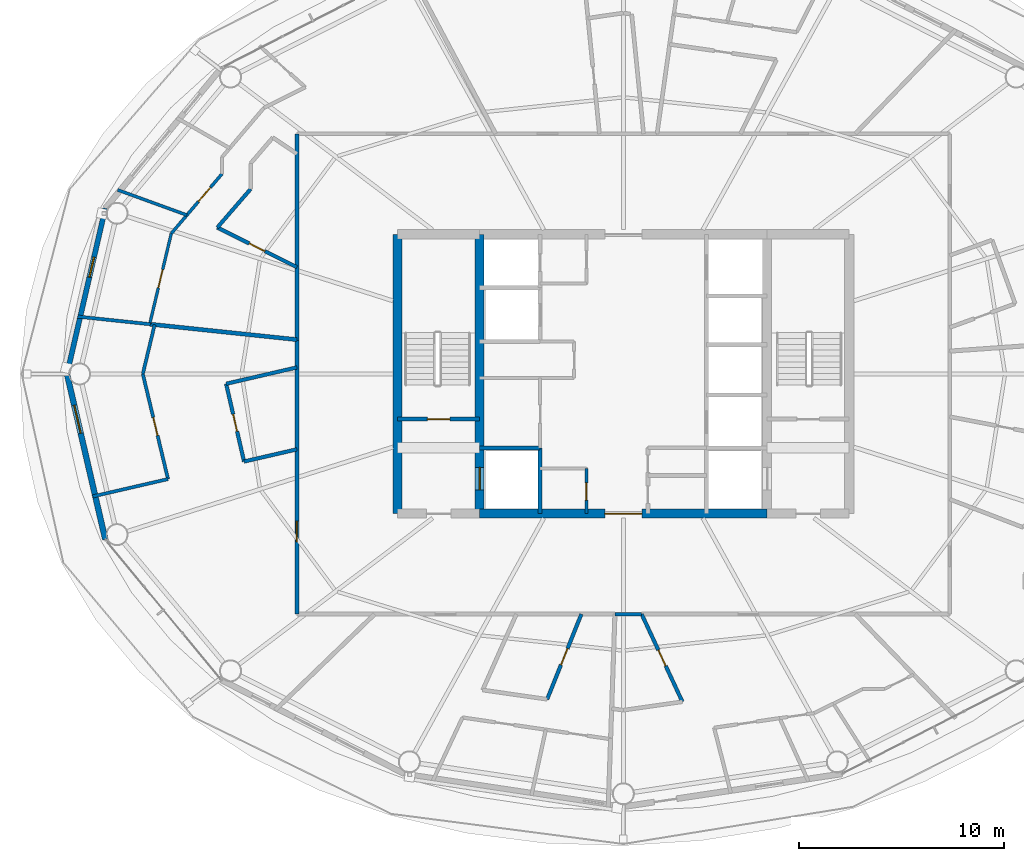
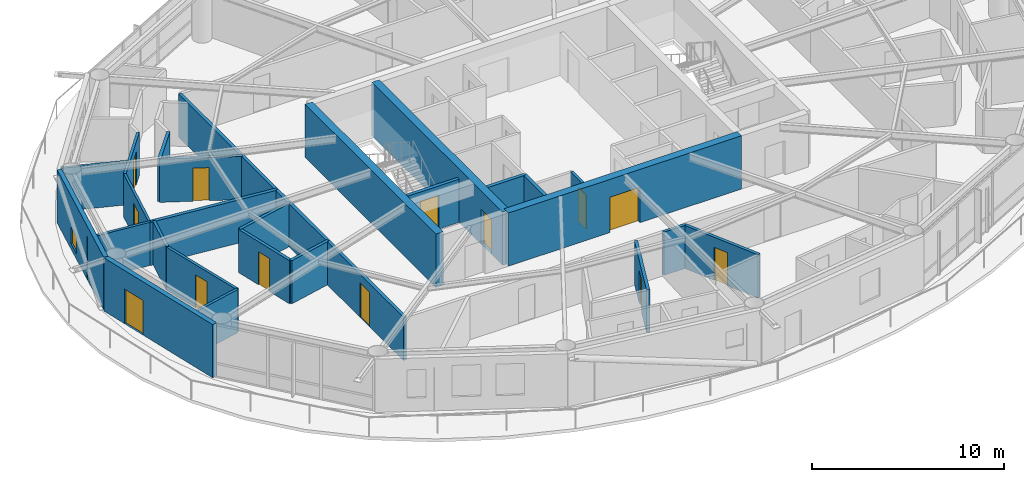
# One storey, part 20 of 27: 27 walls, 13 doors, 1 window, 14 openings.
"""IFC4 building model written with IfcOpenShell, lengths in metres."""

from ifc_helpers import new_model, si_unit, direction, frame, frame_2d, origin, place, context, subcontext, project, spatial, rectangle, extrude, material, layer, layer_set, type_object, element, fill, save


model = new_model("IFC4")

# Units and contexts
model_context = context("Model", 3, precision=1e-05, world=origin(), true_north=direction((0.0, 1.0)))
body_context = subcontext(model_context, "Body", "Model", "MODEL_VIEW")
ifc_project = project(units=[si_unit("LENGTHUNIT", "METRE"), si_unit("AREAUNIT", "SQUARE_METRE"), si_unit("VOLUMEUNIT", "CUBIC_METRE"), si_unit("PLANEANGLEUNIT", "RADIAN"), si_unit("MASSUNIT", "GRAM", prefix="KILO")], contexts=[model_context])

# Site, building, storey
site_placement = place(None, origin())
site = spatial("IfcSite", under=ifc_project, at=site_placement, CompositionType="ELEMENT")
building_placement = place(site_placement, origin())
building = spatial("IfcBuilding", under=site, at=building_placement, Name="Sarneth Arch Tower", CompositionType="ELEMENT")
storey_placement = place(building_placement, frame((0.0, 0.0, 157.800048828125)))
storey = spatial("IfcBuildingStorey", under=building, at=storey_placement, Name="L39", CompositionType="ELEMENT", Elevation=157.800048828125)

# Wall, opening, door
ifc_material_1 = material(Name="Concrete C50/60", Category="concrete")
ifc_layer_1 = layer(ifc_material_1, 0.449951171875)
ifc_layer_set_1 = layer_set([ifc_layer_1], Name="Concrete C50/60")
wall_type_1 = type_object("IfcWallType", Name="WALL-CORE-450", PredefinedType="SHEAR", material=ifc_layer_set_1)
wall_1_placement = place(storey_placement, frame((41.0, 35.199951171875, 0.0), z_axis=(0.0, 0.0, 1.0), x_axis=(1.0, 0.0, 0.0)))
wall_1 = element("IfcWall", 1, at=wall_1_placement, inside=storey, type_object=wall_type_1, Name="L39 Core shear wall S-M", PredefinedType="SHEAR", context=body_context, shape_type="SweptSolid", body=[
    extrude(rectangle(XDim=14.0, YDim=0.449951171875, at=frame_2d((7.0, 0.0))), origin(), (0.0, 0.0, 1.0), 3.3798828125),
])
opening_1_placement = place(wall_1_placement, frame((6.10009765625, 0.0, 0.0)))
opening_1 = element("IfcOpeningElement", 2, at=opening_1_placement, cuts=wall_1, Name="Opening FD-01", PredefinedType="OPENING", context=body_context, shape_type="SweptSolid", body=[
    extrude(rectangle(XDim=1.800048828125, YDim=2.25, at=frame_2d((0.89990234375, 1.125))), frame((0.0, 0.23486328125, 0.0), z_axis=(0.0, -1.0, 0.0), x_axis=(1.0, 0.0, 0.0)), (0.0, 0.0, 1.0), 0.469970703125),
])
ifc_material_2 = material(Name="Galvanised Steel S275 fire door set", Category="steel")
door_type_1 = type_object("IfcDoorType", Name="DR-FD90-1800", OperationType="DOUBLE_DOOR_SINGLE_SWING", PredefinedType="DOOR", material=ifc_material_2)
door_1_placement = place(opening_1_placement, origin())
door_1 = element("IfcDoor", 3, at=door_1_placement, inside=storey, type_object=door_type_1, Name="L39 Central lift lobby south door", OperationType="DOUBLE_DOOR_SINGLE_SWING", OverallHeight=2.25, OverallWidth=1.800048828125, PredefinedType="DOOR", context=body_context, shape_type="SweptSolid", body=[
    extrude(rectangle(XDim=1.800048828125, YDim=2.25, at=frame_2d((0.89990234375, 1.125))), frame((0.0, 0.02490234375, 0.0), z_axis=(0.0, -1.0, 0.0), x_axis=(1.0, 0.0, 0.0)), (0.0, 0.0, 1.0), 0.050048828125),
])
fill(opening_1, door_1)

# Wall
wall_2_placement = place(storey_placement, frame((37.0, 35.199951171875, 0.0), z_axis=(0.0, 0.0, 1.0), x_axis=(0.0, 1.0, 0.0)))
element("IfcWall", 4, at=wall_2_placement, inside=storey, type_object=wall_type_1, Name="L39 Core shear wall W", PredefinedType="SHEAR", context=body_context, shape_type="SweptSolid", body=[
    extrude(rectangle(XDim=13.60009765625, YDim=0.449951171875, at=frame_2d((6.800048828125, 0.0))), origin(), (0.0, 0.0, 1.0), 3.3798828125),
])

# Wall, opening, door
wall_3_placement = place(storey_placement, frame((41.0, 35.199951171875, 0.0), z_axis=(0.0, 0.0, 1.0), x_axis=(0.0, 1.0, 0.0)))
wall_3 = element("IfcWall", 5, at=wall_3_placement, inside=storey, type_object=wall_type_1, Name="L39 Core shear wall WEB-W", PredefinedType="SHEAR", context=body_context, shape_type="SweptSolid", body=[
    extrude(rectangle(XDim=13.60009765625, YDim=0.449951171875, at=frame_2d((6.800048828125, 0.0))), origin(), (0.0, 0.0, 1.0), 3.3798828125),
])
opening_2_placement = place(wall_3_placement, frame((1.14990234375, 0.0, 0.0)))
opening_2 = element("IfcOpeningElement", 6, at=opening_2_placement, cuts=wall_3, Name="Opening LD-1", PredefinedType="OPENING", context=body_context, shape_type="SweptSolid", body=[
    extrude(rectangle(XDim=1.10009765625, YDim=2.199951171875, at=frame_2d((0.550048828125, 1.10009765625))), frame((0.0, 0.23486328125, 0.0), z_axis=(0.0, -1.0, 0.0), x_axis=(1.0, 0.0, 0.0)), (0.0, 0.0, 1.0), 0.469970703125),
])
ifc_material_3 = material(Name="Brushed Stainless Steel 304 lift landing door", Category="steel")
door_type_2 = type_object("IfcDoorType", Name="DR-LIFT-SLIDE-1100", OperationType="SLIDING_TO_LEFT", PredefinedType="DOOR", material=ifc_material_3)
door_2_placement = place(opening_2_placement, origin())
door_2 = element("IfcDoor", 7, at=door_2_placement, inside=storey, type_object=door_type_2, Name="L39 Firefighting lift landing door FL-1", OperationType="SLIDING_TO_LEFT", OverallHeight=2.199951171875, OverallWidth=1.10009765625, PredefinedType="DOOR", context=body_context, shape_type="SweptSolid", body=[
    extrude(rectangle(XDim=1.10009765625, YDim=2.199951171875, at=frame_2d((0.550048828125, 1.10009765625))), frame((0.0, 0.02490234375, 0.0), z_axis=(0.0, -1.0, 0.0), x_axis=(1.0, 0.0, 0.0)), (0.0, 0.0, 1.0), 0.050048828125),
])
fill(opening_2, door_2)

ifc_material_4 = material(Name="Double steel-stud corridor fire wall", Category="steel")
ifc_layer_2 = layer(ifc_material_4, 0.18994140625)
ifc_layer_set_2 = layer_set([ifc_layer_2], Name="Double steel-stud corridor fire wall")
wall_type_2 = type_object("IfcWallType", Name="WALL-CORR-190", PredefinedType="PARTITIONING", material=ifc_layer_set_2)
wall_4_placement = place(storey_placement, frame((32.10009765625, 30.300048828125, 0.0), z_axis=(0.0, 0.0, 1.0), x_axis=(0.0, 1.0, 0.0)))
wall_4 = element("IfcWall", 8, at=wall_4_placement, inside=storey, type_object=wall_type_2, Name="L39 Interior partition W-L39-TP-015", PredefinedType="PARTITIONING", context=body_context, shape_type="SweptSolid", body=[
    extrude(rectangle(XDim=13.4033203125, YDim=0.18994140625, at=frame_2d((6.70166015625, 0.0))), origin(), (0.0, 0.0, 1.0), 2.739990234375),
])
opening_3_placement = place(wall_4_placement, frame((3.531005859375, 0.0, 0.0)))
opening_3 = element("IfcOpeningElement", 9, at=opening_3_placement, cuts=wall_4, Name="Opening FD-08", PredefinedType="OPENING", context=body_context, shape_type="SweptSolid", body=[
    extrude(rectangle(XDim=1.0, YDim=2.199951171875, at=frame_2d((0.5, 1.10009765625))), frame((0.0, 0.10498046875, 0.0), z_axis=(0.0, -1.0, 0.0), x_axis=(1.0, 0.0, 0.0)), (0.0, 0.0, 1.0), 0.2099609375),
])
ifc_material_5 = material(Name="Hardwood timber acoustic fire door", Category="wood")
door_type_3 = type_object("IfcDoorType", Name="DR-FD60-1000", OperationType="SINGLE_SWING_LEFT", PredefinedType="DOOR", material=ifc_material_5)
door_3_placement = place(opening_3_placement, origin())
door_3 = element("IfcDoor", 10, at=door_3_placement, inside=storey, type_object=door_type_3, Name="L39 Interior door DR-L39-U5-ENT", OperationType="SINGLE_SWING_RIGHT", OverallHeight=2.199951171875, OverallWidth=1.0, PredefinedType="DOOR", context=body_context, shape_type="SweptSolid", body=[
    extrude(rectangle(XDim=1.0, YDim=2.199951171875, at=frame_2d((0.5, 1.10009765625))), frame((0.0, 0.02490234375, 0.0), z_axis=(0.0, -1.0, 0.0), x_axis=(1.0, 0.0, 0.0)), (0.0, 0.0, 1.0), 0.050048828125),
])
fill(opening_3, door_3)

# Wall
wall_5_placement = place(storey_placement, frame((32.10009765625, 43.638916015625, 0.0), z_axis=(0.0, 0.0, 1.0), x_axis=(0.0, 1.0, 0.0)))
element("IfcWall", 11, at=wall_5_placement, inside=storey, type_object=wall_type_2, Name="L39 Interior partition W-L39-TP-013", PredefinedType="PARTITIONING", context=body_context, shape_type="SweptSolid", body=[
    extrude(rectangle(XDim=10.06103515625, YDim=0.18994140625, at=frame_2d((5.030517578125, 0.0))), origin(), (0.0, 0.0, 1.0), 2.739990234375),
])

# Wall, opening, window
ifc_material_6 = material(Name="Extruded terracotta rainscreen on Concrete C40/50 backing", Category="masonry")
ifc_layer_3 = layer(ifc_material_6, 0.25)
ifc_layer_set_3 = layer_set([ifc_layer_3], Name="Extruded terracotta rainscreen on Concrete C40/50 backing")
wall_type_3 = type_object("IfcWallType", Name="WALL-EXT-SPAND-250", PredefinedType="SOLIDWALL", material=ifc_layer_set_3)
wall_6_placement = place(storey_placement, frame((22.767578125, 50.06689453125, 0.0), z_axis=(0.0, 0.0, 1.0), x_axis=(-0.225473184558, -0.974249374157, 0.0)))
wall_6 = element("IfcWall", 12, at=wall_6_placement, inside=storey, type_object=wall_type_3, Name="L39 Terracotta perimeter wall 08", PredefinedType="SOLIDWALL", context=body_context, shape_type="SweptSolid", body=[
    extrude(rectangle(XDim=8.280029296875, YDim=0.25, at=frame_2d((4.14013671875, 0.0))), origin(), (0.0, 0.0, 1.0), 3.3798828125),
])
opening_4_placement = place(wall_6_placement, frame((2.447265625, 0.0, 0.35009765625)))
opening_4 = element("IfcOpeningElement", 13, at=opening_4_placement, cuts=wall_6, Name="Opening W-14", PredefinedType="OPENING", context=body_context, shape_type="SweptSolid", body=[
    extrude(rectangle(XDim=1.0, YDim=1.050048828125, at=frame_2d((0.5, 0.52490234375))), frame((0.0, 0.135009765625, 0.0), z_axis=(0.0, -1.0, 0.0), x_axis=(1.0, 0.0, 0.0)), (0.0, 0.0, 1.0), 0.27001953125),
])
ifc_material_7 = material(Name="Thermally broken Aluminium 6063-T6 and low-e laminated IGU", Category="aluminium")
window_type = type_object("IfcWindowType", Name="WIN-TWR-1000x1050", PartitioningType="SINGLE_PANEL", PredefinedType="WINDOW", material=ifc_material_7)
window_placement = place(opening_4_placement, origin())
window = element("IfcWindow", 14, at=window_placement, inside=storey, type_object=window_type, Name="L39 Dwelling bedroom window 02", OverallHeight=1.050048828125, OverallWidth=1.0, PartitioningType="SINGLE_PANEL", PredefinedType="WINDOW", context=body_context, shape_type="SweptSolid", body=[
    extrude(rectangle(XDim=1.0, YDim=1.050048828125, at=frame_2d((0.5, 0.52490234375))), frame((0.0, 0.030029296875, 0.0), z_axis=(0.0, -1.0, 0.0), x_axis=(1.0, 0.0, 0.0)), (0.0, 0.0, 1.0), 0.06005859375),
])
fill(opening_4, window)

# Wall, opening, door
ifc_material_8 = material(Name="Extruded terracotta rainscreen on Concrete C40/50 backing", Category="masonry")
ifc_layer_4 = layer(ifc_material_8, 0.280029296875)
ifc_layer_set_4 = layer_set([ifc_layer_4], Name="Extruded terracotta rainscreen on Concrete C40/50 backing")
wall_type_4 = type_object("IfcWallType", Name="WALL-EXT-TERRA-280", PredefinedType="SOLIDWALL", material=ifc_layer_set_4)
wall_7_placement = place(storey_placement, frame((20.900634765625, 42.0, 0.0), z_axis=(0.0, 0.0, 1.0), x_axis=(0.225473184558, -0.974249374157, 0.0)))
wall_7 = element("IfcWall", 15, at=wall_7_placement, inside=storey, type_object=wall_type_4, Name="L39 Terracotta perimeter wall 09", PredefinedType="SOLIDWALL", context=body_context, shape_type="SweptSolid", body=[
    extrude(rectangle(XDim=8.280029296875, YDim=0.280029296875, at=frame_2d((4.14013671875, 0.0))), origin(), (0.0, 0.0, 1.0), 3.3798828125),
])
opening_5_placement = place(wall_7_placement, frame((1.568115234375, 0.0, 0.0)))
opening_5 = element("IfcOpeningElement", 16, at=opening_5_placement, cuts=wall_7, Name="Opening BD-2", PredefinedType="OPENING", context=body_context, shape_type="SweptSolid", body=[
    extrude(rectangle(XDim=1.39990234375, YDim=2.199951171875, at=frame_2d((0.699951171875, 1.10009765625))), frame((0.0, 0.14990234375, 0.0), z_axis=(0.0, -1.0, 0.0), x_axis=(1.0, 0.0, 0.0)), (0.0, 0.0, 1.0), 0.300048828125),
])
ifc_material_9 = material(Name="Thermally broken Aluminium 6063-T6 and laminated safety glass", Category="aluminium")
door_type_4 = type_object("IfcDoorType", Name="DR-BALC-GLZ-1400", OperationType="SINGLE_SWING_LEFT", PredefinedType="DOOR", material=ifc_material_9)
door_4_placement = place(opening_5_placement, origin())
door_4 = element("IfcDoor", 17, at=door_4_placement, inside=storey, type_object=door_type_4, Name="L39 Balcony glazed door 09", OperationType="SINGLE_SWING_LEFT", OverallHeight=2.199951171875, OverallWidth=1.39990234375, PredefinedType="DOOR", context=body_context, shape_type="SweptSolid", body=[
    extrude(rectangle(XDim=1.39990234375, YDim=2.199951171875, at=frame_2d((0.699951171875, 1.10009765625))), frame((0.0, 0.02490234375, 0.0), z_axis=(0.0, -1.0, 0.0), x_axis=(1.0, 0.0, 0.0)), (0.0, 0.0, 1.0), 0.050048828125),
])
fill(opening_5, door_4)

ifc_material_10 = material(Name="Apartment internal stud partition", Category="gypsum")
ifc_layer_5 = layer(ifc_material_10, 0.139892578125)
ifc_layer_set_5 = layer_set([ifc_layer_5], Name="Apartment internal stud partition")
wall_type_5 = type_object("IfcWallType", Name="WALL-PART-140", PredefinedType="PARTITIONING", material=ifc_layer_set_5)
wall_8_placement = place(storey_placement, frame((24.9287109375, 44.4248046875, 0.0), z_axis=(0.0, 0.0, 1.0), x_axis=(0.23166656053, 0.972795253243, 0.0)))
wall_8 = element("IfcWall", 18, at=wall_8_placement, inside=storey, type_object=wall_type_5, Name="L39 Interior partition W-L39-TP-063", PredefinedType="PARTITIONING", context=body_context, shape_type="SweptSolid", body=[
    extrude(rectangle(XDim=4.541015625, YDim=0.139892578125, at=frame_2d((2.2705078125, 0.0))), origin(), (0.0, 0.0, 1.0), 2.739990234375),
])
opening_6_placement = place(wall_8_placement, frame((1.820556640625, 0.0, 0.0)))
opening_6 = element("IfcOpeningElement", 19, at=opening_6_placement, cuts=wall_8, Name="Opening ID-01", PredefinedType="OPENING", context=body_context, shape_type="SweptSolid", body=[
    extrude(rectangle(XDim=0.89990234375, YDim=2.10009765625, at=frame_2d((0.449951171875, 1.050048828125))), frame((0.0, 0.079833984375, 0.0), z_axis=(0.0, -1.0, 0.0), x_axis=(1.0, 0.0, 0.0)), (0.0, 0.0, 1.0), 0.159912109375),
])
ifc_material_11 = material(Name="Engineered hardwood flush door", Category="wood")
door_type_5 = type_object("IfcDoorType", Name="DR-INT-900", OperationType="SINGLE_SWING_LEFT", PredefinedType="DOOR", material=ifc_material_11)
door_5_placement = place(opening_6_placement, origin())
door_5 = element("IfcDoor", 20, at=door_5_placement, inside=storey, type_object=door_type_5, Name="L39 Interior door DR-L39-U4-BED2", OperationType="SINGLE_SWING_LEFT", OverallHeight=2.10009765625, OverallWidth=0.89990234375, PredefinedType="DOOR", context=body_context, shape_type="SweptSolid", body=[
    extrude(rectangle(XDim=0.89990234375, YDim=2.10009765625, at=frame_2d((0.449951171875, 1.050048828125))), frame((0.0, 0.02490234375, 0.0), z_axis=(0.0, -1.0, 0.0), x_axis=(1.0, 0.0, 0.0)), (0.0, 0.0, 1.0), 0.050048828125),
])
fill(opening_6, door_5)

ifc_material_12 = material(Name="Acoustic gypsum stud partition", Category="gypsum")
ifc_layer_6 = layer(ifc_material_12, 0.14990234375)
ifc_layer_set_6 = layer_set([ifc_layer_6], Name="Acoustic gypsum stud partition")
wall_type_6 = type_object("IfcWallType", Name="WALL-PART-150", PredefinedType="PARTITIONING", material=ifc_layer_set_6)
wall_9_placement = place(storey_placement, frame((46.199951171875, 35.199951171875, 0.0), z_axis=(0.0, 0.0, 1.0), x_axis=(0.0, 1.0, 0.0)))
wall_9 = element("IfcWall", 21, at=wall_9_placement, inside=storey, type_object=wall_type_6, Name="L39 Interior partition W-L39-CSUP1-E", PredefinedType="PARTITIONING", context=body_context, shape_type="SweptSolid", body=[
    extrude(rectangle(XDim=2.199951171875, YDim=0.14990234375, at=frame_2d((1.10009765625, 0.0))), origin(), (0.0, 0.0, 1.0), 2.739990234375),
])
opening_7_placement = place(wall_9_placement, frame((0.64990234375, 0.0, 0.0)))
opening_7 = element("IfcOpeningElement", 22, at=opening_7_placement, cuts=wall_9, Name="Opening FD-11", PredefinedType="OPENING", context=body_context, shape_type="SweptSolid", body=[
    extrude(rectangle(XDim=0.85009765625, YDim=2.14990234375, at=frame_2d((0.425048828125, 1.074951171875))), frame((0.0, 0.0849609375, 0.0), z_axis=(0.0, -1.0, 0.0), x_axis=(1.0, 0.0, 0.0)), (0.0, 0.0, 1.0), 0.169921875),
])
ifc_material_13 = material(Name="Galvanised Steel S275 closet fire door", Category="steel")
door_type_6 = type_object("IfcDoorType", Name="DR-FD60-850", OperationType="SINGLE_SWING_LEFT", PredefinedType="DOOR", material=ifc_material_13)
door_6_placement = place(opening_7_placement, origin())
door_6 = element("IfcDoor", 23, at=door_6_placement, inside=storey, type_object=door_type_6, Name="L39 Interior door DR-L39-CSUP1", OperationType="SINGLE_SWING_LEFT", OverallHeight=2.14990234375, OverallWidth=0.85009765625, PredefinedType="DOOR", context=body_context, shape_type="SweptSolid", body=[
    extrude(rectangle(XDim=0.85009765625, YDim=2.14990234375, at=frame_2d((0.425048828125, 1.074951171875))), frame((0.0, 0.02490234375, 0.0), z_axis=(0.0, -1.0, 0.0), x_axis=(1.0, 0.0, 0.0)), (0.0, 0.0, 1.0), 0.050048828125),
])
fill(opening_7, door_6)

# Wall
wall_10_placement = place(storey_placement, frame((26.741943359375, 49.7373046875, 0.0), z_axis=(0.0, 0.0, 1.0), x_axis=(-0.939702146374, 0.341993970854, 0.0)))
element("IfcWall", 24, at=wall_10_placement, inside=storey, type_object=wall_type_6, Name="L39 Interior partition W-L39-TP-068", PredefinedType="PARTITIONING", context=body_context, shape_type="SweptSolid", body=[
    extrude(rectangle(XDim=3.59375, YDim=0.14990234375, at=frame_2d((1.796875, 0.0))), origin(), (0.0, 0.0, 1.0), 2.739990234375),
])

# Wall, opening, door
wall_11_placement = place(storey_placement, frame((28.449951171875, 51.744384765625, 0.0), z_axis=(0.0, 0.0, 1.0), x_axis=(-0.648090958091, -0.761562938988, 0.0)))
wall_11 = element("IfcWall", 25, at=wall_11_placement, inside=storey, type_object=wall_type_6, Name="L39 Interior partition W-L39-TP-062", PredefinedType="PARTITIONING", context=body_context, shape_type="SweptSolid", body=[
    extrude(rectangle(XDim=3.810302734375, YDim=0.14990234375, at=frame_2d((1.9052734375, 0.0))), origin(), (0.0, 0.0, 1.0), 2.739990234375),
])
opening_8_placement = place(wall_11_placement, frame((0.86767578125, 0.0, 0.0)))
opening_8 = element("IfcOpeningElement", 26, at=opening_8_placement, cuts=wall_11, Name="Opening ID-01", PredefinedType="OPENING", context=body_context, shape_type="SweptSolid", body=[
    extrude(rectangle(XDim=0.89990234375, YDim=2.10009765625, at=frame_2d((0.449951171875, 1.050048828125))), frame((0.0, 0.0849609375, 0.0), z_axis=(0.0, -1.0, 0.0), x_axis=(1.0, 0.0, 0.0)), (0.0, 0.0, 1.0), 0.169921875),
])
door_7_placement = place(opening_8_placement, origin())
door_7 = element("IfcDoor", 27, at=door_7_placement, inside=storey, type_object=door_type_5, Name="L39 Interior door DR-L39-U4-BED1", OperationType="SINGLE_SWING_RIGHT", OverallHeight=2.10009765625, OverallWidth=0.89990234375, PredefinedType="DOOR", context=body_context, shape_type="SweptSolid", body=[
    extrude(rectangle(XDim=0.89990234375, YDim=2.10009765625, at=frame_2d((0.449951171875, 1.050048828125))), frame((0.0, 0.02490234375, 0.0), z_axis=(0.0, -1.0, 0.0), x_axis=(1.0, 0.0, 0.0)), (0.0, 0.0, 1.0), 0.050048828125),
])
fill(opening_8, door_7)

ifc_material_14 = material(Name="Kitchen wet service chase wall", Category="gypsum")
ifc_layer_7 = layer(ifc_material_14, 0.159912109375)
ifc_layer_set_7 = layer_set([ifc_layer_7], Name="Kitchen wet service chase wall")
wall_type_7 = type_object("IfcWallType", Name="WALL-PLUMB-160", PredefinedType="PLUMBINGWALL", material=ifc_layer_set_7)
wall_12_placement = place(storey_placement, frame((24.59423828125, 42.0, 0.0), z_axis=(0.0, 0.0, 1.0), x_axis=(0.233087094169, -0.972455863539, 0.0)))
wall_12 = element("IfcWall", 28, at=wall_12_placement, inside=storey, type_object=wall_type_7, Name="L39 Interior partition W-L39-TP-074", PredefinedType="PLUMBINGWALL", context=body_context, shape_type="SweptSolid", body=[
    extrude(rectangle(XDim=5.265380859375, YDim=0.159912109375, at=frame_2d((2.6328125, 0.0))), origin(), (0.0, 0.0, 1.0), 2.739990234375),
])
opening_9_placement = place(wall_12_placement, frame((2.1826171875, 0.0, 0.0)))
opening_9 = element("IfcOpeningElement", 29, at=opening_9_placement, cuts=wall_12, Name="Opening ID-01", PredefinedType="OPENING", context=body_context, shape_type="SweptSolid", body=[
    extrude(rectangle(XDim=0.89990234375, YDim=2.10009765625, at=frame_2d((0.449951171875, 1.050048828125))), frame((0.0, 0.08984375, 0.0), z_axis=(0.0, -1.0, 0.0), x_axis=(1.0, 0.0, 0.0)), (0.0, 0.0, 1.0), 0.179931640625),
])
door_8_placement = place(opening_9_placement, origin())
door_8 = element("IfcDoor", 30, at=door_8_placement, inside=storey, type_object=door_type_5, Name="L39 Interior door DR-L39-U5-KIT", OperationType="SINGLE_SWING_LEFT", OverallHeight=2.10009765625, OverallWidth=0.89990234375, PredefinedType="DOOR", context=body_context, shape_type="SweptSolid", body=[
    extrude(rectangle(XDim=0.89990234375, YDim=2.10009765625, at=frame_2d((0.449951171875, 1.050048828125))), frame((0.0, 0.02490234375, 0.0), z_axis=(0.0, -1.0, 0.0), x_axis=(1.0, 0.0, 0.0)), (0.0, 0.0, 1.0), 0.050048828125),
])
fill(opening_9, door_8)

# Walls
wall_13_placement = place(storey_placement, frame((25.821533203125, 36.879638671875, 0.0), z_axis=(0.0, 0.0, 1.0), x_axis=(-0.97437258695, -0.22494012937, 0.0)))
element("IfcWall", 31, at=wall_13_placement, inside=storey, type_object=wall_type_7, Name="L39 Interior partition W-L39-TP-075", PredefinedType="PLUMBINGWALL", context=body_context, shape_type="SweptSolid", body=[
    extrude(rectangle(XDim=3.759765625, YDim=0.159912109375, at=frame_2d((1.8798828125, 0.0))), origin(), (0.0, 0.0, 1.0), 2.739990234375),
])
wall_14_placement = place(storey_placement, frame((21.4248046875, 44.793212890625, 0.0), z_axis=(0.0, 0.0, 1.0), x_axis=(0.994516359121, -0.104581123727, 0.0)))
element("IfcWall", 32, at=wall_14_placement, inside=storey, type_object=wall_type_7, Name="L39 Interior partition W-L39-TP-069", PredefinedType="PLUMBINGWALL", context=body_context, shape_type="SweptSolid", body=[
    extrude(rectangle(XDim=3.555419921875, YDim=0.159912109375, at=frame_2d((1.77783203125, 0.0))), origin(), (0.0, 0.0, 1.0), 2.739990234375),
])
wall_15_placement = place(storey_placement, frame((25.16943359375, 44.399658203125, 0.0), z_axis=(0.0, 0.0, 1.0), x_axis=(-0.233096038601, -0.972453719613, 0.0)))
element("IfcWall", 33, at=wall_15_placement, inside=storey, type_object=wall_type_7, Name="L39 Interior partition W-L39-TP-073", PredefinedType="PLUMBINGWALL", context=body_context, shape_type="SweptSolid", body=[
    extrude(rectangle(XDim=2.467529296875, YDim=0.159912109375, at=frame_2d((1.23388671875, 0.0))), origin(), (0.0, 0.0, 1.0), 2.739990234375),
])

# Wall, opening, door
ifc_material_15 = material(Name="Moisture-resistant plumbing chase wall", Category="gypsum")
ifc_layer_8 = layer(ifc_material_15, 0.179931640625)
ifc_layer_set_8 = layer_set([ifc_layer_8], Name="Moisture-resistant plumbing chase wall")
wall_type_8 = type_object("IfcWallType", Name="WALL-PLUMB-180", PredefinedType="PLUMBINGWALL", material=ifc_layer_set_8)
wall_16_placement = place(storey_placement, frame((48.89111328125, 30.300048828125, 0.0), z_axis=(0.0, 0.0, 1.0), x_axis=(0.421928127284, -0.906629282235, 0.0)))
wall_16 = element("IfcWall", 34, at=wall_16_placement, inside=storey, type_object=wall_type_8, Name="L39 Interior partition W-L39-TP-089", PredefinedType="PLUMBINGWALL", context=body_context, shape_type="SweptSolid", body=[
    extrude(rectangle(XDim=4.7060546875, YDim=0.179931640625, at=frame_2d((2.35302734375, 0.0))), origin(), (0.0, 0.0, 1.0), 2.739990234375),
])
opening_10_placement = place(wall_16_placement, frame((1.927978515625, 0.0, 0.0)))
opening_10 = element("IfcOpeningElement", 35, at=opening_10_placement, cuts=wall_16, Name="Opening ID-02", PredefinedType="OPENING", context=body_context, shape_type="SweptSolid", body=[
    extrude(rectangle(XDim=0.85009765625, YDim=2.10009765625, at=frame_2d((0.425048828125, 1.050048828125))), frame((0.0, 0.099853515625, 0.0), z_axis=(0.0, -1.0, 0.0), x_axis=(1.0, 0.0, 0.0)), (0.0, 0.0, 1.0), 0.199951171875),
])
ifc_material_16 = material(Name="Moisture-resistant bathroom timber door", Category="wood")
door_type_7 = type_object("IfcDoorType", Name="DR-INT-850", OperationType="SINGLE_SWING_RIGHT", PredefinedType="DOOR", material=ifc_material_16)
door_9_placement = place(opening_10_placement, origin())
door_9 = element("IfcDoor", 36, at=door_9_placement, inside=storey, type_object=door_type_7, Name="L39 Interior door DR-L39-U7-BATH", OperationType="SINGLE_SWING_LEFT", OverallHeight=2.10009765625, OverallWidth=0.85009765625, PredefinedType="DOOR", context=body_context, shape_type="SweptSolid", body=[
    extrude(rectangle(XDim=0.85009765625, YDim=2.10009765625, at=frame_2d((0.425048828125, 1.050048828125))), frame((0.0, 0.02490234375, 0.0), z_axis=(0.0, -1.0, 0.0), x_axis=(1.0, 0.0, 0.0)), (0.0, 0.0, 1.0), 0.050048828125),
])
fill(opening_10, door_9)

wall_17_placement = place(storey_placement, frame((44.288330078125, 26.153564453125, 0.0), z_axis=(0.0, 0.0, 1.0), x_axis=(0.373292277378, 0.927713789727, 0.0)))
wall_17 = element("IfcWall", 37, at=wall_17_placement, inside=storey, type_object=wall_type_8, Name="L39 Interior partition W-L39-TP-081", PredefinedType="PLUMBINGWALL", context=body_context, shape_type="SweptSolid", body=[
    extrude(rectangle(XDim=4.469482421875, YDim=0.179931640625, at=frame_2d((2.23486328125, 0.0))), origin(), (0.0, 0.0, 1.0), 2.739990234375),
])
opening_11_placement = place(wall_17_placement, frame((1.809814453125, 0.0, 0.0)))
opening_11 = element("IfcOpeningElement", 38, at=opening_11_placement, cuts=wall_17, Name="Opening ID-02", PredefinedType="OPENING", context=body_context, shape_type="SweptSolid", body=[
    extrude(rectangle(XDim=0.85009765625, YDim=2.10009765625, at=frame_2d((0.425048828125, 1.050048828125))), frame((0.0, 0.099853515625, 0.0), z_axis=(0.0, -1.0, 0.0), x_axis=(1.0, 0.0, 0.0)), (0.0, 0.0, 1.0), 0.199951171875),
])
door_10_placement = place(opening_11_placement, origin())
door_10 = element("IfcDoor", 39, at=door_10_placement, inside=storey, type_object=door_type_7, Name="L39 Interior door DR-L39-U6-BATH", OperationType="SINGLE_SWING_LEFT", OverallHeight=2.10009765625, OverallWidth=0.85009765625, PredefinedType="DOOR", context=body_context, shape_type="SweptSolid", body=[
    extrude(rectangle(XDim=0.85009765625, YDim=2.10009765625, at=frame_2d((0.425048828125, 1.050048828125))), frame((0.0, 0.02490234375, 0.0), z_axis=(0.0, -1.0, 0.0), x_axis=(1.0, 0.0, 0.0)), (0.0, 0.0, 1.0), 0.050048828125),
])
fill(opening_11, door_10)

wall_18_placement = place(storey_placement, frame((32.10009765625, 47.198974609375, 0.0), z_axis=(0.0, 0.0, 1.0), x_axis=(-0.89485499518, 0.446356962084, 0.0)))
wall_18 = element("IfcWall", 40, at=wall_18_placement, inside=storey, type_object=wall_type_8, Name="L39 Interior partition W-L39-TP-055", PredefinedType="PLUMBINGWALL", context=body_context, shape_type="SweptSolid", body=[
    extrude(rectangle(XDim=4.3330078125, YDim=0.179931640625, at=frame_2d((2.16650390625, 0.0))), origin(), (0.0, 0.0, 1.0), 2.739990234375),
])
opening_12_placement = place(wall_18_placement, frame((1.741455078125, 0.0, 0.0)))
opening_12 = element("IfcOpeningElement", 41, at=opening_12_placement, cuts=wall_18, Name="Opening ID-02", PredefinedType="OPENING", context=body_context, shape_type="SweptSolid", body=[
    extrude(rectangle(XDim=0.85009765625, YDim=2.10009765625, at=frame_2d((0.425048828125, 1.050048828125))), frame((0.0, 0.099853515625, 0.0), z_axis=(0.0, -1.0, 0.0), x_axis=(1.0, 0.0, 0.0)), (0.0, 0.0, 1.0), 0.199951171875),
])
door_11_placement = place(opening_12_placement, origin())
door_11 = element("IfcDoor", 42, at=door_11_placement, inside=storey, type_object=door_type_7, Name="L39 Interior door DR-L39-U4-BATH", OperationType="SINGLE_SWING_LEFT", OverallHeight=2.10009765625, OverallWidth=0.85009765625, PredefinedType="DOOR", context=body_context, shape_type="SweptSolid", body=[
    extrude(rectangle(XDim=0.85009765625, YDim=2.10009765625, at=frame_2d((0.425048828125, 1.050048828125))), frame((0.0, 0.02490234375, 0.0), z_axis=(0.0, -1.0, 0.0), x_axis=(1.0, 0.0, 0.0)), (0.0, 0.0, 1.0), 0.050048828125),
])
fill(opening_12, door_11)

wall_19_placement = place(storey_placement, frame((28.651611328125, 41.521728515625, 0.0), z_axis=(0.0, 0.0, 1.0), x_axis=(0.224891621851, -0.974383783948, 0.0)))
wall_19 = element("IfcWall", 43, at=wall_19_placement, inside=storey, type_object=wall_type_8, Name="L39 Interior partition W-L39-TP-071", PredefinedType="PLUMBINGWALL", context=body_context, shape_type="SweptSolid", body=[
    extrude(rectangle(XDim=3.886474609375, YDim=0.179931640625, at=frame_2d((1.943359375, 0.0))), origin(), (0.0, 0.0, 1.0), 2.739990234375),
])
opening_13_placement = place(wall_19_placement, frame((1.518310546875, 0.0, 0.0)))
opening_13 = element("IfcOpeningElement", 44, at=opening_13_placement, cuts=wall_19, Name="Opening ID-02", PredefinedType="OPENING", context=body_context, shape_type="SweptSolid", body=[
    extrude(rectangle(XDim=0.85009765625, YDim=2.10009765625, at=frame_2d((0.425048828125, 1.050048828125))), frame((0.0, 0.099853515625, 0.0), z_axis=(0.0, -1.0, 0.0), x_axis=(1.0, 0.0, 0.0)), (0.0, 0.0, 1.0), 0.199951171875),
])
door_12_placement = place(opening_13_placement, origin())
door_12 = element("IfcDoor", 45, at=door_12_placement, inside=storey, type_object=door_type_7, Name="L39 Interior door DR-L39-U5-BATH", OperationType="SINGLE_SWING_RIGHT", OverallHeight=2.10009765625, OverallWidth=0.85009765625, PredefinedType="DOOR", context=body_context, shape_type="SweptSolid", body=[
    extrude(rectangle(XDim=0.85009765625, YDim=2.10009765625, at=frame_2d((0.425048828125, 1.050048828125))), frame((0.0, 0.02490234375, 0.0), z_axis=(0.0, -1.0, 0.0), x_axis=(1.0, 0.0, 0.0)), (0.0, 0.0, 1.0), 0.050048828125),
])
fill(opening_13, door_12)

# Walls
wall_20_placement = place(storey_placement, frame((32.10009765625, 42.31787109375, 0.0), z_axis=(0.0, 0.0, 1.0), x_axis=(-0.974370264362, -0.224950189882, 0.0)))
element("IfcWall", 46, at=wall_20_placement, inside=storey, type_object=wall_type_8, Name="L39 Interior partition W-L39-TP-070", PredefinedType="PLUMBINGWALL", context=body_context, shape_type="SweptSolid", body=[
    extrude(rectangle(XDim=3.539306640625, YDim=0.179931640625, at=frame_2d((1.76953125, 0.0))), origin(), (0.0, 0.0, 1.0), 2.739990234375),
])
wall_21_placement = place(storey_placement, frame((29.525634765625, 37.73486328125, 0.0), z_axis=(0.0, 0.0, 1.0), x_axis=(0.974380293177, 0.224906745718, 0.0)))
element("IfcWall", 47, at=wall_21_placement, inside=storey, type_object=wall_type_8, Name="L39 Interior partition W-L39-TP-072", PredefinedType="PLUMBINGWALL", context=body_context, shape_type="SweptSolid", body=[
    extrude(rectangle(XDim=2.64208984375, YDim=0.179931640625, at=frame_2d((1.321044921875, 0.0))), origin(), (0.0, 0.0, 1.0), 2.739990234375),
])
wall_22_placement = place(storey_placement, frame((28.22265625, 49.133056640625, 0.0), z_axis=(0.0, 0.0, 1.0), x_axis=(0.654567839364, 0.756003269616, 0.0)))
element("IfcWall", 48, at=wall_22_placement, inside=storey, type_object=wall_type_8, Name="L39 Interior partition W-L39-TP-056", PredefinedType="PLUMBINGWALL", context=body_context, shape_type="SweptSolid", body=[
    extrude(rectangle(XDim=2.486328125, YDim=0.179931640625, at=frame_2d((1.2431640625, 0.0))), origin(), (0.0, 0.0, 1.0), 2.739990234375),
])
wall_23_placement = place(storey_placement, frame((47.59130859375, 30.300048828125, 0.0), z_axis=(0.0, 0.0, 1.0), x_axis=(1.0, 0.0, 0.0)))
element("IfcWall", 49, at=wall_23_placement, inside=storey, type_object=wall_type_8, Name="L39 Interior partition W-L39-TP-022", PredefinedType="PLUMBINGWALL", context=body_context, shape_type="SweptSolid", body=[
    extrude(rectangle(XDim=1.2998046875, YDim=0.179931640625, at=frame_2d((0.64990234375, 0.0))), origin(), (0.0, 0.0, 1.0), 2.739990234375),
])

# Wall, opening, door
ifc_material_17 = material(Name="Aerated concrete blockwork C25/30", Category="masonry")
ifc_layer_9 = layer(ifc_material_17, 0.199951171875)
ifc_layer_set_9 = layer_set([ifc_layer_9], Name="Aerated concrete blockwork C25/30")
wall_type_9 = type_object("IfcWallType", Name="WALL-SHAFT-200", PredefinedType="SOLIDWALL", material=ifc_layer_set_9)
wall_24_placement = place(storey_placement, frame((37.0, 39.800048828125, 0.0), z_axis=(0.0, 0.0, 1.0), x_axis=(1.0, 0.0, 0.0)))
wall_24 = element("IfcWall", 50, at=wall_24_placement, inside=storey, type_object=wall_type_9, Name="L39 Interior partition W-L39-ST1-S", PredefinedType="SOLIDWALL", context=body_context, shape_type="SweptSolid", body=[
    extrude(rectangle(XDim=4.0, YDim=0.199951171875, at=frame_2d((2.0, 0.0))), origin(), (0.0, 0.0, 1.0), 2.739990234375),
])
opening_14_placement = place(wall_24_placement, frame((1.449951171875, 0.0, 0.0)))
opening_14 = element("IfcOpeningElement", 51, at=opening_14_placement, cuts=wall_24, Name="Opening FD-03", PredefinedType="OPENING", context=body_context, shape_type="SweptSolid", body=[
    extrude(rectangle(XDim=1.10009765625, YDim=2.14990234375, at=frame_2d((0.550048828125, 1.074951171875))), frame((0.0, 0.10986328125, 0.0), z_axis=(0.0, -1.0, 0.0), x_axis=(1.0, 0.0, 0.0)), (0.0, 0.0, 1.0), 0.219970703125),
])
ifc_material_18 = material(Name="Galvanised Steel S275 fire door set", Category="steel")
door_type_8 = type_object("IfcDoorType", Name="DR-FD90-1100", OperationType="SINGLE_SWING_LEFT", PredefinedType="DOOR", material=ifc_material_18)
door_13_placement = place(opening_14_placement, origin())
door_13 = element("IfcDoor", 52, at=door_13_placement, inside=storey, type_object=door_type_8, Name="L39 Interior door DR-L39-ST1", OperationType="SINGLE_SWING_LEFT", OverallHeight=2.14990234375, OverallWidth=1.10009765625, PredefinedType="DOOR", context=body_context, shape_type="SweptSolid", body=[
    extrude(rectangle(XDim=1.10009765625, YDim=2.14990234375, at=frame_2d((0.550048828125, 1.074951171875))), frame((0.0, 0.02490234375, 0.0), z_axis=(0.0, -1.0, 0.0), x_axis=(1.0, 0.0, 0.0)), (0.0, 0.0, 1.0), 0.050048828125),
])
fill(opening_14, door_13)

# Walls
wall_25_placement = place(storey_placement, frame((43.949951171875, 35.199951171875, 0.0), z_axis=(0.0, 0.0, 1.0), x_axis=(0.0, 1.0, 0.0)))
element("IfcWall", 53, at=wall_25_placement, inside=storey, type_object=wall_type_9, Name="L39 Interior partition W-L39-FL1-E", PredefinedType="SOLIDWALL", context=body_context, shape_type="SweptSolid", body=[
    extrude(rectangle(XDim=3.199951171875, YDim=0.199951171875, at=frame_2d((1.60009765625, 0.0))), origin(), (0.0, 0.0, 1.0), 2.739990234375),
])
wall_26_placement = place(storey_placement, frame((41.0, 38.39990234375, 0.0), z_axis=(0.0, 0.0, 1.0), x_axis=(1.0, 0.0, 0.0)))
element("IfcWall", 54, at=wall_26_placement, inside=storey, type_object=wall_type_9, Name="L39 Interior partition W-L39-FL1-N", PredefinedType="SOLIDWALL", context=body_context, shape_type="SweptSolid", body=[
    extrude(rectangle(XDim=2.949951171875, YDim=0.199951171875, at=frame_2d((1.47509765625, 0.0))), origin(), (0.0, 0.0, 1.0), 2.739990234375),
])
ifc_material_19 = material(Name="Double steel-stud acoustic drywall", Category="steel")
ifc_layer_10 = layer(ifc_material_19, 0.199951171875)
ifc_layer_set_10 = layer_set([ifc_layer_10], Name="Double steel-stud acoustic drywall")
wall_type_10 = type_object("IfcWallType", Name="WALL-UNIT-200", PredefinedType="PARTITIONING", material=ifc_layer_set_10)
wall_27_placement = place(storey_placement, frame((32.10009765625, 43.671142578125, 0.0), z_axis=(0.0, 0.0, 1.0), x_axis=(-0.994522615629, 0.104521610217, 0.0)))
element("IfcWall", 55, at=wall_27_placement, inside=storey, type_object=wall_type_10, Name="L39 Interior partition W-L39-TP-065", PredefinedType="PARTITIONING", context=body_context, shape_type="SweptSolid", body=[
    extrude(rectangle(XDim=7.243408203125, YDim=0.199951171875, at=frame_2d((3.62158203125, 0.0))), origin(), (0.0, 0.0, 1.0), 2.739990234375),
])

save(model, "model.ifc")
